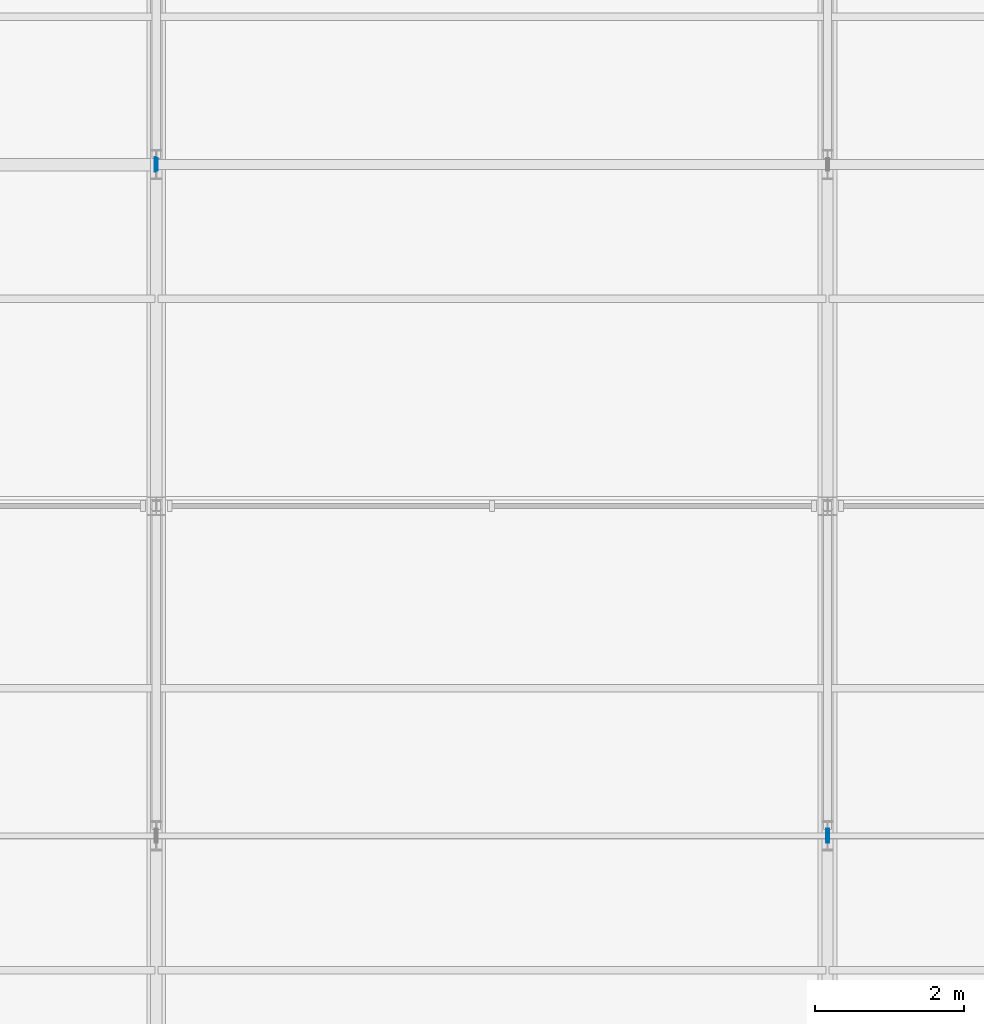
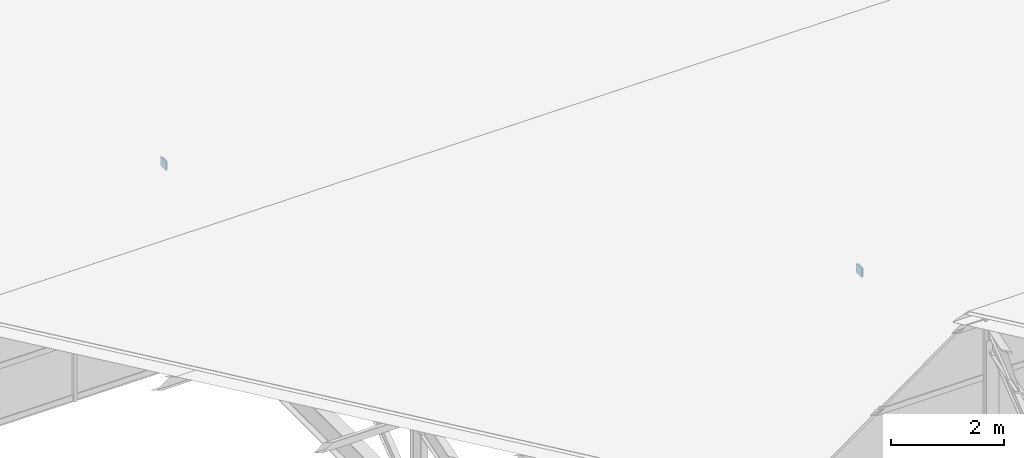
# One storey, part 139 of 163: 4 plates.
"""IFC4 building model written with IfcOpenShell, lengths in metres."""

from ifc_helpers import new_model, si_unit, direction, frame, origin, origin_2d, place, context, subcontext, project, spatial, rectangle, extrude, material, layer, layer_set, type_object, element, save


model = new_model("IFC4")

# Units and contexts
model_context = context("Model", 3, precision=1e-05, world=origin(), true_north=direction((0.0, 1.0)))
body_context = subcontext(model_context, "Body", "Model", "MODEL_VIEW")
ifc_project = project(units=[si_unit("LENGTHUNIT", "METRE"), si_unit("AREAUNIT", "SQUARE_METRE"), si_unit("VOLUMEUNIT", "CUBIC_METRE"), si_unit("PLANEANGLEUNIT", "RADIAN"), si_unit("MASSUNIT", "GRAM", prefix="KILO")], contexts=[model_context])

# Site, building, storey
site_placement = place(None, origin())
site = spatial("IfcSite", under=ifc_project, at=site_placement, CompositionType="ELEMENT")
building_placement = place(site_placement, origin())
building = spatial("IfcBuilding", under=site, at=building_placement, Name="Tharagai Park Tramway Depot", CompositionType="ELEMENT")
storey_placement = place(building_placement, frame((0.0, 0.0, 8.39990234375)))
storey = spatial("IfcBuildingStorey", under=building, at=storey_placement, Name="L02", CompositionType="ELEMENT", Elevation=8.39990234375)

# Plates
ifc_material = material(Name="Steel E350", Category="steel")
ifc_layer = layer(ifc_material, 0.011962890625)
ifc_layer_set = layer_set([ifc_layer], Name="Steel E350")
plate_type = type_object("IfcPlateType", Name="GP-04", PredefinedType="SHEET", material=ifc_layer_set)
for number, where, z_axis, x_axis, name in (
    (1, (98.986083984375, 103.5, 1.8515625), (0.0, 0.0, 1.0), (1.0, 0.0, 0.0), "Tube End Cap Plate GP-04"),
    (2, (99.013916015625, 103.5, 1.8515625), (0.0, 0.0, 1.0), (1.0, 0.0, 0.0), "Tube End Cap Plate GP-04"),
):
    element("IfcPlate", number, at=place(storey_placement, frame(where, z_axis=z_axis, x_axis=x_axis)), inside=storey, type_object=plate_type, Name=name, PredefinedType="SHEET", context=body_context, shape_type="SweptSolid", body=[
        extrude(rectangle(XDim=0.011962890625, YDim=0.18994140625, at=origin_2d()), origin(), (0.0, 0.0, 1.0), 0.18994140625),
    ])
plate_1_placement = place(storey_placement, frame((89.986083984375, 112.5, 1.847412109375), z_axis=(0.0, 0.0, 1.0), x_axis=(1.0, 0.0, 0.0)))
element("IfcPlate", 3, at=plate_1_placement, inside=storey, type_object=plate_type, Name="Tube End Cap Plate GP-04", PredefinedType="SHEET", context=body_context, shape_type="SweptSolid", body=[
    extrude(rectangle(XDim=0.011962890625, YDim=0.1982421875, at=origin_2d()), origin(), (0.0, 0.0, 1.0), 0.1982421875),
])
plate_2_placement = place(storey_placement, frame((90.013916015625, 112.5, 1.86181640625), z_axis=(0.0, 0.0, 1.0), x_axis=(1.0, 0.0, 0.0)))
element("IfcPlate", 4, at=plate_2_placement, inside=storey, type_object=plate_type, Name="Tube End Cap Plate GP-04", PredefinedType="SHEET", context=body_context, shape_type="SweptSolid", body=[
    extrude(rectangle(XDim=0.011962890625, YDim=0.169677734375, at=origin_2d()), origin(), (0.0, 0.0, 1.0), 0.169677734375),
])

save(model, "model.ifc")
